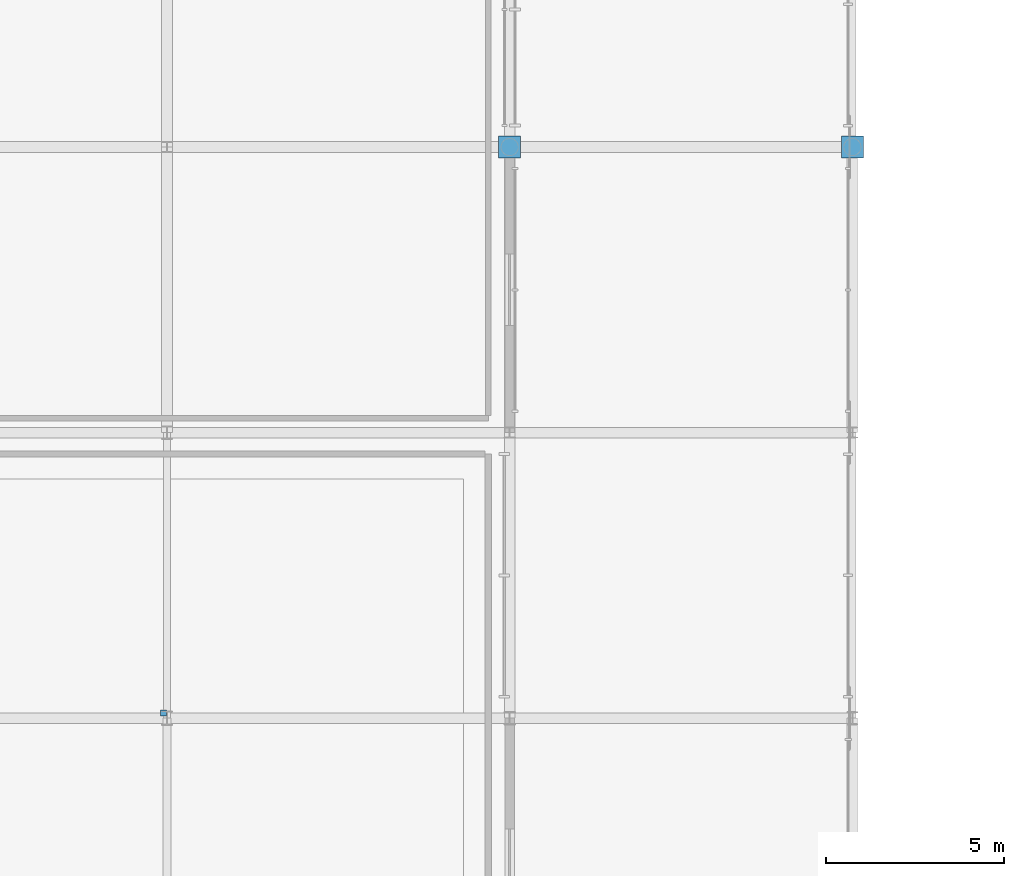
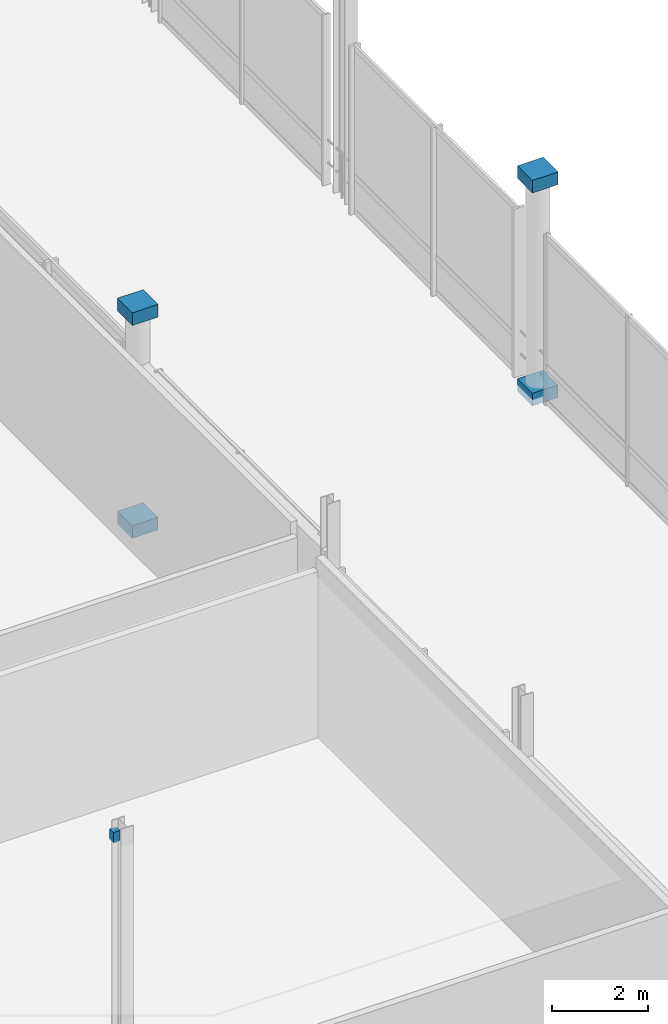
# One storey, part 93 of 129: 5 discrete accessories.
"""IFC4 building model written with IfcOpenShell, lengths in metres."""

from ifc_helpers import new_model, si_unit, direction, frame, origin, origin_2d, place, context, subcontext, project, spatial, rectangle, extrude, material, type_object, element, save


model = new_model("IFC4")

# Units and contexts
model_context = context("Model", 3, precision=1e-05, world=origin(), true_north=direction((0.0, 1.0)))
body_context = subcontext(model_context, "Body", "Model", "MODEL_VIEW")
ifc_project = project(units=[si_unit("LENGTHUNIT", "METRE"), si_unit("AREAUNIT", "SQUARE_METRE"), si_unit("VOLUMEUNIT", "CUBIC_METRE"), si_unit("PLANEANGLEUNIT", "RADIAN"), si_unit("MASSUNIT", "GRAM", prefix="KILO")], contexts=[model_context])

# Site, building, storey
site_placement = place(None, origin())
site = spatial("IfcSite", under=ifc_project, at=site_placement, CompositionType="ELEMENT")
building_placement = place(site_placement, origin())
building = spatial("IfcBuilding", under=site, at=building_placement, Name="Danafjord Basin Convention Centre", CompositionType="ELEMENT")
storey_placement = place(building_placement, frame((0.0, 0.0, 6.0)))
storey = spatial("IfcBuildingStorey", under=building, at=storey_placement, Name="L01", CompositionType="ELEMENT", Elevation=6.0)

# Discrete accessories
ifc_material_1 = material(Name="Stainless steel EN 1.4404", Category="steel")
discrete_accessory_type_1 = type_object("IfcDiscreteAccessoryType", Name="ACC-FIN-BRK", PredefinedType="BRACKET", material=ifc_material_1)
discrete_accessory_placement = place(storey_placement, frame((105.5, 32.14501953125, 4.91015625), z_axis=(0.0, 0.0, 1.0), x_axis=(1.0, 0.0, 0.0)))
element("IfcDiscreteAccessory", 1, at=discrete_accessory_placement, inside=storey, type_object=discrete_accessory_type_1, Name="Suspended ceiling steel hanger assembly", PredefinedType="BRACKET", context=body_context, shape_type="SweptSolid", body=[
    extrude(rectangle(XDim=0.159912109375, YDim=0.159912109375, at=origin_2d()), origin(), (0.0, 0.0, 1.0), 0.260009765625),
])
ifc_material_2 = material(Name="Steel S355", Category="steel")
discrete_accessory_type_2 = type_object("IfcDiscreteAccessoryType", Name="ACC-SF-HUB", PredefinedType="BRACKET", material=ifc_material_2)
for number, where, z_axis, x_axis, name in (
    (2, (115.199951171875, 48.0, -0.16015625), (0.0, 0.0, 1.0), (1.0, 0.0, 0.0), "Tubular steel column transition collar"),
    (3, (115.199951171875, 48.0, 5.23974609375), (0.0, 0.0, 1.0), (1.0, 0.0, 0.0), "Tubular steel column top cap plate"),
    (4, (124.800048828125, 48.0, -0.16015625), (0.0, 0.0, 1.0), (1.0, 0.0, 0.0), "Tubular steel column transition collar"),
    (5, (124.800048828125, 48.0, 5.23974609375), (0.0, 0.0, 1.0), (1.0, 0.0, 0.0), "Tubular steel column top cap plate"),
):
    element("IfcDiscreteAccessory", number, at=place(storey_placement, frame(where, z_axis=z_axis, x_axis=x_axis)), inside=storey, type_object=discrete_accessory_type_2, Name=name, PredefinedType="BRACKET", context=body_context, shape_type="SweptSolid", body=[
        extrude(rectangle(XDim=0.6201171875, YDim=0.6201171875, at=origin_2d()), origin(), (0.0, 0.0, 1.0), 0.320068359375),
    ])

save(model, "model.ifc")
